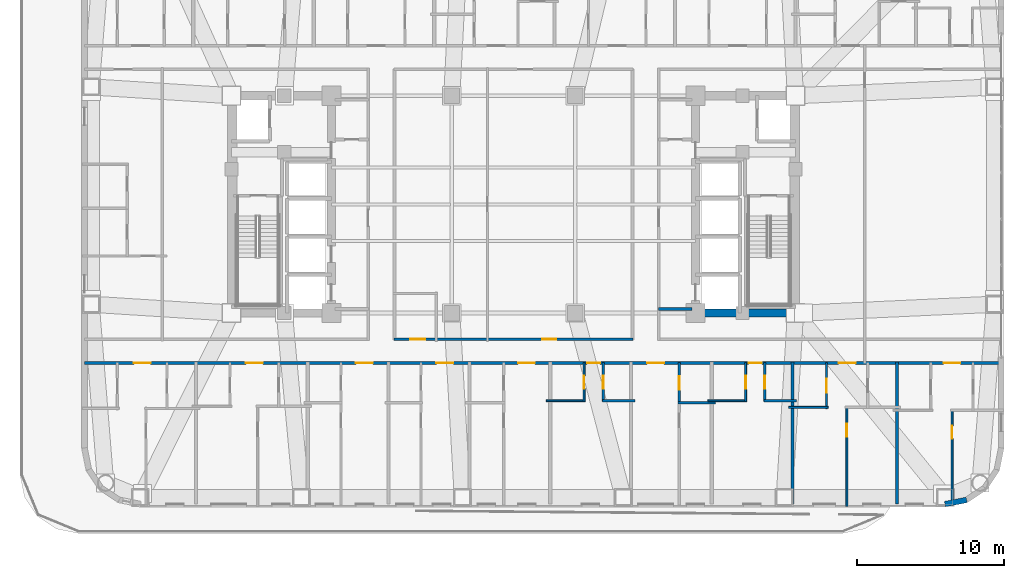
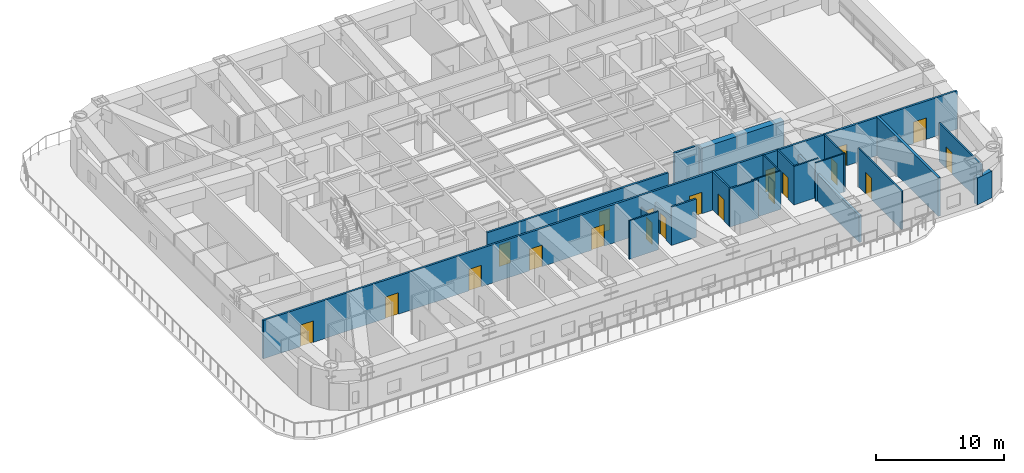
# One storey, part 9 of 18: 21 walls, 20 doors, 20 openings.
"""IFC4 building model written with IfcOpenShell, lengths in metres."""

from ifc_helpers import new_model, si_unit, direction, frame, frame_2d, origin, place, context, subcontext, project, spatial, rectangle, extrude, material, layer, layer_set, type_object, element, fill, save


model = new_model("IFC4")

# Units and contexts
model_context = context("Model", 3, precision=1e-05, world=origin(), true_north=direction((0.0, 1.0)))
body_context = subcontext(model_context, "Body", "Model", "MODEL_VIEW")
ifc_project = project(units=[si_unit("LENGTHUNIT", "METRE"), si_unit("AREAUNIT", "SQUARE_METRE"), si_unit("VOLUMEUNIT", "CUBIC_METRE"), si_unit("PLANEANGLEUNIT", "RADIAN"), si_unit("MASSUNIT", "GRAM", prefix="KILO")], contexts=[model_context])

# Site, building, storey
site_placement = place(None, origin())
site = spatial("IfcSite", under=ifc_project, at=site_placement, CompositionType="ELEMENT")
building_placement = place(site_placement, origin())
building = spatial("IfcBuilding", under=site, at=building_placement, Name="Voryun Gate Residences", CompositionType="ELEMENT")
storey_placement = place(building_placement, frame((0.0, 0.0, 85.800048828125)))
storey = spatial("IfcBuildingStorey", under=building, at=storey_placement, Name="L20", CompositionType="ELEMENT", Elevation=85.800048828125)

# Walls
ifc_material_1 = material(Name="Concrete C60/75", Category="concrete")
ifc_layer_1 = layer(ifc_material_1, 0.550048828125, Name="CW_CORE_550")
ifc_layer_set_1 = layer_set([ifc_layer_1], Name="Concrete C60/75")
wall_type_1 = type_object("IfcWallType", Name="CW_CORE_550", PredefinedType="SHEAR", material=ifc_layer_set_1)
wall_1_placement = place(storey_placement, frame((12.125, -7.39990234375, 0.0), z_axis=(0.0, 0.0, 1.0), x_axis=(1.0, 0.0, 0.0)))
element("IfcWall", 1, at=wall_1_placement, inside=storey, type_object=wall_type_1, Name="L20 Core shear wall CW-L20-ES", PredefinedType="SHEAR", context=body_context, shape_type="SweptSolid", body=[
    extrude(rectangle(XDim=7.35009765625, YDim=0.550048828125, at=frame_2d((3.675048828125, 0.0))), origin(), (0.0, 0.0, 1.0), 3.64990234375),
])
ifc_material_2 = material(Name="Gypsum acoustic fireboard")
ifc_layer_2 = layer(ifc_material_2, 0.179931640625, Name="W_CORR_RATED_180")
ifc_layer_set_2 = layer_set([ifc_layer_2], Name="Gypsum acoustic fireboard")
wall_type_2 = type_object("IfcWallType", Name="W_CORR_RATED_180", PredefinedType="PARTITIONING", material=ifc_layer_set_2)
wall_2_placement = place(storey_placement, frame((9.8798828125, -7.1201171875, 0.0), z_axis=(0.0, 0.0, 1.0), x_axis=(1.0, 0.0, 0.0)))
element("IfcWall", 2, at=wall_2_placement, inside=storey, type_object=wall_type_2, Name="Partition wall WP-L20-PLBS-E", PredefinedType="PARTITIONING", context=body_context, shape_type="SweptSolid", body=[
    extrude(rectangle(XDim=2.27001953125, YDim=0.179931640625, at=frame_2d((1.135009765625, 0.0))), origin(), (0.0, 0.0, 1.0), 3.64990234375),
])

# Wall, openings, doors
wall_3_placement = place(storey_placement, frame((-8.14990234375, -9.18994140625, 0.0), z_axis=(0.0, 0.0, 1.0), x_axis=(1.0, 0.0, 0.0)))
wall_3 = element("IfcWall", 3, at=wall_3_placement, inside=storey, type_object=wall_type_2, Name="Partition wall WP-L20-Z1S", PredefinedType="PARTITIONING", context=body_context, shape_type="SweptSolid", body=[
    extrude(rectangle(XDim=16.2998046875, YDim=0.179931640625, at=frame_2d((8.14990234375, 0.0))), origin(), (0.0, 0.0, 1.0), 3.64990234375),
])
opening_1_placement = place(wall_3_placement, frame((1.1298828125, 0.0, 0.0)))
opening_1 = element("IfcOpeningElement", 4, at=opening_1_placement, cuts=wall_3, Name="Opening D-AWC-1", PredefinedType="OPENING", context=body_context, shape_type="SweptSolid", body=[
    extrude(rectangle(XDim=1.0, YDim=2.050048828125, at=frame_2d((0.5, 1.02490234375))), frame((0.0, 0.099853515625, 0.0), z_axis=(0.0, -1.0, 0.0), x_axis=(1.0, 0.0, 0.0)), (0.0, 0.0, 1.0), 0.199951171875),
])
opening_2_placement = place(wall_3_placement, frame((10.1201171875, 0.0, 0.0)))
opening_2 = element("IfcOpeningElement", 5, at=opening_2_placement, cuts=wall_3, Name="Opening D-INT-1", PredefinedType="OPENING", context=body_context, shape_type="SweptSolid", body=[
    extrude(rectangle(XDim=0.949951171875, YDim=2.050048828125, at=frame_2d((0.47509765625, 1.02490234375))), frame((0.0, 0.099853515625, 0.0), z_axis=(0.0, -1.0, 0.0), x_axis=(1.0, 0.0, 0.0)), (0.0, 0.0, 1.0), 0.199951171875),
])
ifc_material_3 = material(Name="Architectural oak veneer")
door_type_1 = type_object("IfcDoorType", Name="DR_ACC_WC_1000", OperationType="NOTDEFINED", PredefinedType="DOOR", material=ifc_material_3)
door_1_placement = place(opening_1_placement, origin())
door_1 = element("IfcDoor", 6, at=door_1_placement, inside=storey, type_object=door_type_1, Name="Door DR-L20-CMWC-D", OperationType="SINGLE_SWING_LEFT", OverallHeight=2.050048828125, OverallWidth=1.0, PredefinedType="DOOR", context=body_context, shape_type="SweptSolid", body=[
    extrude(rectangle(XDim=1.0, YDim=2.050048828125, at=frame_2d((0.5, 1.02490234375))), frame((0.0, 0.02490234375, 0.0), z_axis=(0.0, -1.0, 0.0), x_axis=(1.0, 0.0, 0.0)), (0.0, 0.0, 1.0), 0.050048828125),
])
fill(opening_1, door_1)
ifc_material_4 = material(Name="Architectural oak veneer")
door_type_2 = type_object("IfcDoorType", Name="DR_INT_ROOM_950", OperationType="NOTDEFINED", PredefinedType="DOOR", material=ifc_material_4)
door_2_placement = place(opening_2_placement, origin())
door_2 = element("IfcDoor", 7, at=door_2_placement, inside=storey, type_object=door_type_2, Name="Door DR-L20-CMIDZ1S", OperationType="SINGLE_SWING_RIGHT", OverallHeight=2.050048828125, OverallWidth=0.949951171875, PredefinedType="DOOR", context=body_context, shape_type="SweptSolid", body=[
    extrude(rectangle(XDim=0.949951171875, YDim=2.050048828125, at=frame_2d((0.47509765625, 1.02490234375))), frame((0.0, 0.02490234375, 0.0), z_axis=(0.0, -1.0, 0.0), x_axis=(1.0, 0.0, 0.0)), (0.0, 0.0, 1.0), 0.050048828125),
])
fill(opening_2, door_2)

wall_4_placement = place(storey_placement, frame((-29.2099609375, -10.800048828125, 0.0), z_axis=(0.0, 0.0, 1.0), x_axis=(1.0, 0.0, 0.0)))
wall_4 = element("IfcWall", 8, at=wall_4_placement, inside=storey, type_object=wall_type_2, Name="Partition wall WP-L20-SCORR", PredefinedType="PARTITIONING", context=body_context, shape_type="SweptSolid", body=[
    extrude(rectangle(XDim=62.419921875, YDim=0.179931640625, at=frame_2d((31.2099609375, 0.0))), origin(), (0.0, 0.0, 1.0), 3.64990234375),
])
opening_3_placement = place(wall_4_placement, frame((3.357421875, 0.0, 0.0)))
opening_3 = element("IfcOpeningElement", 9, at=opening_3_placement, cuts=wall_4, Name="Opening D-UNIT-1", PredefinedType="OPENING", context=body_context, shape_type="SweptSolid", body=[
    extrude(rectangle(XDim=1.14990234375, YDim=2.050048828125, at=frame_2d((0.574951171875, 1.02490234375))), frame((0.0, 0.099853515625, 0.0), z_axis=(0.0, -1.0, 0.0), x_axis=(1.0, 0.0, 0.0)), (0.0, 0.0, 1.0), 0.199951171875),
])
opening_4_placement = place(wall_4_placement, frame((10.997802734375, 0.0, 0.0)))
opening_4 = element("IfcOpeningElement", 10, at=opening_4_placement, cuts=wall_4, Name="Opening D-UNIT-1", PredefinedType="OPENING", context=body_context, shape_type="SweptSolid", body=[
    extrude(rectangle(XDim=1.14990234375, YDim=2.050048828125, at=frame_2d((0.574951171875, 1.02490234375))), frame((0.0, 0.099853515625, 0.0), z_axis=(0.0, -1.0, 0.0), x_axis=(1.0, 0.0, 0.0)), (0.0, 0.0, 1.0), 0.199951171875),
])
opening_5_placement = place(wall_4_placement, frame((18.481689453125, 0.0, 0.0)))
opening_5 = element("IfcOpeningElement", 11, at=opening_5_placement, cuts=wall_4, Name="Opening D-UNIT-1", PredefinedType="OPENING", context=body_context, shape_type="SweptSolid", body=[
    extrude(rectangle(XDim=1.14990234375, YDim=2.050048828125, at=frame_2d((0.574951171875, 1.02490234375))), frame((0.0, 0.099853515625, 0.0), z_axis=(0.0, -1.0, 0.0), x_axis=(1.0, 0.0, 0.0)), (0.0, 0.0, 1.0), 0.199951171875),
])
opening_6_placement = place(wall_4_placement, frame((23.96240234375, 0.0, 0.0)))
opening_6 = element("IfcOpeningElement", 12, at=opening_6_placement, cuts=wall_4, Name="Opening D-UNIT-1", PredefinedType="OPENING", context=body_context, shape_type="SweptSolid", body=[
    extrude(rectangle(XDim=1.14990234375, YDim=2.050048828125, at=frame_2d((0.574951171875, 1.02490234375))), frame((0.0, 0.099853515625, 0.0), z_axis=(0.0, -1.0, 0.0), x_axis=(1.0, 0.0, 0.0)), (0.0, 0.0, 1.0), 0.199951171875),
])
opening_7_placement = place(wall_4_placement, frame((29.52392578125, 0.0, 0.0)))
opening_7 = element("IfcOpeningElement", 13, at=opening_7_placement, cuts=wall_4, Name="Opening D-UNIT-1", PredefinedType="OPENING", context=body_context, shape_type="SweptSolid", body=[
    extrude(rectangle(XDim=1.14990234375, YDim=2.050048828125, at=frame_2d((0.574951171875, 1.02490234375))), frame((0.0, 0.099853515625, 0.0), z_axis=(0.0, -1.0, 0.0), x_axis=(1.0, 0.0, 0.0)), (0.0, 0.0, 1.0), 0.199951171875),
])
opening_8_placement = place(wall_4_placement, frame((34.218017578125, 0.0, 0.0)))
opening_8 = element("IfcOpeningElement", 14, at=opening_8_placement, cuts=wall_4, Name="Opening D-INT-2", PredefinedType="OPENING", context=body_context, shape_type="SweptSolid", body=[
    extrude(rectangle(XDim=0.89990234375, YDim=2.050048828125, at=frame_2d((0.449951171875, 1.02490234375))), frame((0.0, 0.099853515625, 0.0), z_axis=(0.0, -1.0, 0.0), x_axis=(1.0, 0.0, 0.0)), (0.0, 0.0, 1.0), 0.199951171875),
])
opening_9_placement = place(wall_4_placement, frame((38.312744140625, 0.0, 0.0)))
opening_9 = element("IfcOpeningElement", 15, at=opening_9_placement, cuts=wall_4, Name="Opening D-UNIT-1", PredefinedType="OPENING", context=body_context, shape_type="SweptSolid", body=[
    extrude(rectangle(XDim=1.14990234375, YDim=2.050048828125, at=frame_2d((0.574951171875, 1.02490234375))), frame((0.0, 0.099853515625, 0.0), z_axis=(0.0, -1.0, 0.0), x_axis=(1.0, 0.0, 0.0)), (0.0, 0.0, 1.0), 0.199951171875),
])
opening_10_placement = place(wall_4_placement, frame((45.22265625, 0.0, 0.0)))
opening_10 = element("IfcOpeningElement", 16, at=opening_10_placement, cuts=wall_4, Name="Opening D-INT-2", PredefinedType="OPENING", context=body_context, shape_type="SweptSolid", body=[
    extrude(rectangle(XDim=0.89990234375, YDim=2.050048828125, at=frame_2d((0.449951171875, 1.02490234375))), frame((0.0, 0.099853515625, 0.0), z_axis=(0.0, -1.0, 0.0), x_axis=(1.0, 0.0, 0.0)), (0.0, 0.0, 1.0), 0.199951171875),
])
opening_11_placement = place(wall_4_placement, frame((51.352294921875, 0.0, 0.0)))
opening_11 = element("IfcOpeningElement", 17, at=opening_11_placement, cuts=wall_4, Name="Opening D-UNIT-1", PredefinedType="OPENING", context=body_context, shape_type="SweptSolid", body=[
    extrude(rectangle(XDim=1.14990234375, YDim=2.050048828125, at=frame_2d((0.574951171875, 1.02490234375))), frame((0.0, 0.099853515625, 0.0), z_axis=(0.0, -1.0, 0.0), x_axis=(1.0, 0.0, 0.0)), (0.0, 0.0, 1.0), 0.199951171875),
])
opening_12_placement = place(wall_4_placement, frame((58.492919921875, 0.0, 0.0)))
opening_12 = element("IfcOpeningElement", 18, at=opening_12_placement, cuts=wall_4, Name="Opening D-UNIT-1", PredefinedType="OPENING", context=body_context, shape_type="SweptSolid", body=[
    extrude(rectangle(XDim=1.14990234375, YDim=2.050048828125, at=frame_2d((0.574951171875, 1.02490234375))), frame((0.0, 0.099853515625, 0.0), z_axis=(0.0, -1.0, 0.0), x_axis=(1.0, 0.0, 0.0)), (0.0, 0.0, 1.0), 0.199951171875),
])
ifc_material_5 = material(Name="Architectural oak veneer")
door_type_3 = type_object("IfcDoorType", Name="DR_INT_BATH_900", OperationType="NOTDEFINED", PredefinedType="DOOR", material=ifc_material_5)
door_3_placement = place(opening_8_placement, origin())
door_3 = element("IfcDoor", 19, at=door_3_placement, inside=storey, type_object=door_type_3, Name="Door DR-L20-SENT-6", OperationType="SINGLE_SWING_LEFT", OverallHeight=2.050048828125, OverallWidth=0.89990234375, PredefinedType="DOOR", context=body_context, shape_type="SweptSolid", body=[
    extrude(rectangle(XDim=0.89990234375, YDim=2.050048828125, at=frame_2d((0.449951171875, 1.02490234375))), frame((0.0, 0.02490234375, 0.0), z_axis=(0.0, -1.0, 0.0), x_axis=(1.0, 0.0, 0.0)), (0.0, 0.0, 1.0), 0.050048828125),
])
fill(opening_8, door_3)
door_4_placement = place(opening_10_placement, origin())
door_4 = element("IfcDoor", 20, at=door_4_placement, inside=storey, type_object=door_type_3, Name="Door DR-L20-SENT-8", OperationType="SINGLE_SWING_LEFT", OverallHeight=2.050048828125, OverallWidth=0.89990234375, PredefinedType="DOOR", context=body_context, shape_type="SweptSolid", body=[
    extrude(rectangle(XDim=0.89990234375, YDim=2.050048828125, at=frame_2d((0.449951171875, 1.02490234375))), frame((0.0, 0.02490234375, 0.0), z_axis=(0.0, -1.0, 0.0), x_axis=(1.0, 0.0, 0.0)), (0.0, 0.0, 1.0), 0.050048828125),
])
fill(opening_10, door_4)
ifc_material_6 = material(Name="Armoured timber-clad fire door", Category="wood")
door_type_4 = type_object("IfcDoorType", Name="DR_UNIT_ENTRY_1150", OperationType="NOTDEFINED", PredefinedType="DOOR", material=ifc_material_6)
door_5_placement = place(opening_3_placement, origin())
door_5 = element("IfcDoor", 21, at=door_5_placement, inside=storey, type_object=door_type_4, Name="Door DR-L20-SENT-1", OperationType="SINGLE_SWING_RIGHT", OverallHeight=2.050048828125, OverallWidth=1.14990234375, PredefinedType="DOOR", context=body_context, shape_type="SweptSolid", body=[
    extrude(rectangle(XDim=1.14990234375, YDim=2.050048828125, at=frame_2d((0.574951171875, 1.02490234375))), frame((0.0, 0.02490234375, 0.0), z_axis=(0.0, -1.0, 0.0), x_axis=(1.0, 0.0, 0.0)), (0.0, 0.0, 1.0), 0.050048828125),
])
fill(opening_3, door_5)
door_6_placement = place(opening_4_placement, origin())
door_6 = element("IfcDoor", 22, at=door_6_placement, inside=storey, type_object=door_type_4, Name="Door DR-L20-SENT-2", OperationType="SINGLE_SWING_LEFT", OverallHeight=2.050048828125, OverallWidth=1.14990234375, PredefinedType="DOOR", context=body_context, shape_type="SweptSolid", body=[
    extrude(rectangle(XDim=1.14990234375, YDim=2.050048828125, at=frame_2d((0.574951171875, 1.02490234375))), frame((0.0, 0.02490234375, 0.0), z_axis=(0.0, -1.0, 0.0), x_axis=(1.0, 0.0, 0.0)), (0.0, 0.0, 1.0), 0.050048828125),
])
fill(opening_4, door_6)
door_7_placement = place(opening_5_placement, origin())
door_7 = element("IfcDoor", 23, at=door_7_placement, inside=storey, type_object=door_type_4, Name="Door DR-L20-SENT-3", OperationType="SINGLE_SWING_RIGHT", OverallHeight=2.050048828125, OverallWidth=1.14990234375, PredefinedType="DOOR", context=body_context, shape_type="SweptSolid", body=[
    extrude(rectangle(XDim=1.14990234375, YDim=2.050048828125, at=frame_2d((0.574951171875, 1.02490234375))), frame((0.0, 0.02490234375, 0.0), z_axis=(0.0, -1.0, 0.0), x_axis=(1.0, 0.0, 0.0)), (0.0, 0.0, 1.0), 0.050048828125),
])
fill(opening_5, door_7)
door_8_placement = place(opening_6_placement, origin())
door_8 = element("IfcDoor", 24, at=door_8_placement, inside=storey, type_object=door_type_4, Name="Door DR-L20-SENT-4", OperationType="SINGLE_SWING_LEFT", OverallHeight=2.050048828125, OverallWidth=1.14990234375, PredefinedType="DOOR", context=body_context, shape_type="SweptSolid", body=[
    extrude(rectangle(XDim=1.14990234375, YDim=2.050048828125, at=frame_2d((0.574951171875, 1.02490234375))), frame((0.0, 0.02490234375, 0.0), z_axis=(0.0, -1.0, 0.0), x_axis=(1.0, 0.0, 0.0)), (0.0, 0.0, 1.0), 0.050048828125),
])
fill(opening_6, door_8)
door_9_placement = place(opening_7_placement, origin())
door_9 = element("IfcDoor", 25, at=door_9_placement, inside=storey, type_object=door_type_4, Name="Door DR-L20-SENT-5", OperationType="SINGLE_SWING_RIGHT", OverallHeight=2.050048828125, OverallWidth=1.14990234375, PredefinedType="DOOR", context=body_context, shape_type="SweptSolid", body=[
    extrude(rectangle(XDim=1.14990234375, YDim=2.050048828125, at=frame_2d((0.574951171875, 1.02490234375))), frame((0.0, 0.02490234375, 0.0), z_axis=(0.0, -1.0, 0.0), x_axis=(1.0, 0.0, 0.0)), (0.0, 0.0, 1.0), 0.050048828125),
])
fill(opening_7, door_9)
door_10_placement = place(opening_9_placement, origin())
door_10 = element("IfcDoor", 26, at=door_10_placement, inside=storey, type_object=door_type_4, Name="Door DR-L20-SENT-7", OperationType="SINGLE_SWING_RIGHT", OverallHeight=2.050048828125, OverallWidth=1.14990234375, PredefinedType="DOOR", context=body_context, shape_type="SweptSolid", body=[
    extrude(rectangle(XDim=1.14990234375, YDim=2.050048828125, at=frame_2d((0.574951171875, 1.02490234375))), frame((0.0, 0.02490234375, 0.0), z_axis=(0.0, -1.0, 0.0), x_axis=(1.0, 0.0, 0.0)), (0.0, 0.0, 1.0), 0.050048828125),
])
fill(opening_9, door_10)
door_11_placement = place(opening_11_placement, origin())
door_11 = element("IfcDoor", 27, at=door_11_placement, inside=storey, type_object=door_type_4, Name="Door DR-L20-SENT-9", OperationType="SINGLE_SWING_RIGHT", OverallHeight=2.050048828125, OverallWidth=1.14990234375, PredefinedType="DOOR", context=body_context, shape_type="SweptSolid", body=[
    extrude(rectangle(XDim=1.14990234375, YDim=2.050048828125, at=frame_2d((0.574951171875, 1.02490234375))), frame((0.0, 0.02490234375, 0.0), z_axis=(0.0, -1.0, 0.0), x_axis=(1.0, 0.0, 0.0)), (0.0, 0.0, 1.0), 0.050048828125),
])
fill(opening_11, door_11)
door_12_placement = place(opening_12_placement, origin())
door_12 = element("IfcDoor", 28, at=door_12_placement, inside=storey, type_object=door_type_4, Name="Door DR-L20-SENT-10", OperationType="SINGLE_SWING_LEFT", OverallHeight=2.050048828125, OverallWidth=1.14990234375, PredefinedType="DOOR", context=body_context, shape_type="SweptSolid", body=[
    extrude(rectangle(XDim=1.14990234375, YDim=2.050048828125, at=frame_2d((0.574951171875, 1.02490234375))), frame((0.0, 0.02490234375, 0.0), z_axis=(0.0, -1.0, 0.0), x_axis=(1.0, 0.0, 0.0)), (0.0, 0.0, 1.0), 0.050048828125),
])
fill(opening_12, door_12)

# Walls
ifc_material_7 = material(Name="Granite masonry", Category="masonry")
ifc_layer_3 = layer(ifc_material_7, 0.3798828125, Name="W_EXT_GRANITE_380")
ifc_layer_set_3 = layer_set([ifc_layer_3], Name="Granite masonry")
wall_type_3 = type_object("IfcWallType", Name="W_EXT_GRANITE_380", PredefinedType="ELEMENTEDWALL", material=ifc_layer_set_3)
wall_5_placement = place(storey_placement, frame((30.856689453125, -20.116455078125, 0.0), z_axis=(0.0, 0.0, 1.0), x_axis=(-0.980786132421, -0.195086038585, 0.0)))
element("IfcWall", 29, at=wall_5_placement, inside=storey, type_object=wall_type_3, Name="Exterior wall WEXT-L20-20", PredefinedType="ELEMENTEDWALL", context=body_context, shape_type="SweptSolid", body=[
    extrude(rectangle(XDim=1.504150390625, YDim=0.3798828125, at=frame_2d((0.751953125, 0.0))), origin(), (0.0, 0.0, 1.0), 2.5400390625),
])
ifc_material_8 = material(Name="Concrete C40/50", Category="concrete")
ifc_layer_4 = layer(ifc_material_8, 0.219970703125, Name="W_PARTY_ACOUSTIC_220")
ifc_layer_set_4 = layer_set([ifc_layer_4], Name="Concrete C40/50")
wall_type_4 = type_object("IfcWallType", Name="W_PARTY_ACOUSTIC_220", PredefinedType="PARTITIONING", material=ifc_layer_set_4)
wall_6_placement = place(storey_placement, frame((19.0, -20.409912109375, 0.0), z_axis=(0.0, 0.0, 1.0), x_axis=(0.0, 1.0, 0.0)))
element("IfcWall", 30, at=wall_6_placement, inside=storey, type_object=wall_type_4, Name="Partition wall WP-L20-SPTY-8", PredefinedType="PARTITIONING", context=body_context, shape_type="SweptSolid", body=[
    extrude(rectangle(XDim=9.68994140625, YDim=0.219970703125, at=frame_2d((4.844970703125, 0.0))), origin(), (0.0, 0.0, 1.0), 2.5400390625),
])
wall_7_placement = place(storey_placement, frame((26.10888671875, -20.409912109375, 0.0), z_axis=(0.0, 0.0, 1.0), x_axis=(0.0, 1.0, 0.0)))
element("IfcWall", 31, at=wall_7_placement, inside=storey, type_object=wall_type_4, Name="Partition wall WP-L20-SPTY-9", PredefinedType="PARTITIONING", context=body_context, shape_type="SweptSolid", body=[
    extrude(rectangle(XDim=9.68994140625, YDim=0.219970703125, at=frame_2d((4.844970703125, 0.0))), origin(), (0.0, 0.0, 1.0), 3.64990234375),
])

# Wall, opening, door
ifc_material_9 = material(Name="Gypsum acoustic partition")
ifc_layer_5 = layer(ifc_material_9, 0.125, Name="W_UNIT_PART_125")
ifc_layer_set_5 = layer_set([ifc_layer_5], Name="Gypsum acoustic partition")
wall_type_5 = type_object("IfcWallType", Name="W_UNIT_PART_125", PredefinedType="PARTITIONING", material=ifc_layer_set_5)
wall_8_placement = place(storey_placement, frame((4.81005859375, -13.429931640625, 0.0), z_axis=(0.0, 0.0, 1.0), x_axis=(0.0, 1.0, 0.0)))
wall_8 = element("IfcWall", 32, at=wall_8_placement, inside=storey, type_object=wall_type_5, Name="Partition wall WP-L20-S6-CVK", PredefinedType="PARTITIONING", context=body_context, shape_type="SweptSolid", body=[
    extrude(rectangle(XDim=2.64990234375, YDim=0.125, at=frame_2d((1.324951171875, 0.0))), origin(), (0.0, 0.0, 1.0), 2.5400390625),
])
opening_13_placement = place(wall_8_placement, frame((0.875, 0.0, 0.0)))
opening_13 = element("IfcOpeningElement", 33, at=opening_13_placement, cuts=wall_8, Name="Opening D-INT-2", PredefinedType="OPENING", context=body_context, shape_type="SweptSolid", body=[
    extrude(rectangle(XDim=0.89990234375, YDim=2.050048828125, at=frame_2d((0.449951171875, 1.02490234375))), frame((0.0, 0.072509765625, 0.0), z_axis=(0.0, -1.0, 0.0), x_axis=(1.0, 0.0, 0.0)), (0.0, 0.0, 1.0), 0.14501953125),
])
door_13_placement = place(opening_13_placement, origin())
door_13 = element("IfcDoor", 34, at=door_13_placement, inside=storey, type_object=door_type_3, Name="Door DR-L20-S6-DK", OperationType="SINGLE_SWING_LEFT", OverallHeight=2.050048828125, OverallWidth=0.89990234375, PredefinedType="DOOR", context=body_context, shape_type="SweptSolid", body=[
    extrude(rectangle(XDim=0.89990234375, YDim=2.050048828125, at=frame_2d((0.449951171875, 1.02490234375))), frame((0.0, 0.02490234375, 0.0), z_axis=(0.0, -1.0, 0.0), x_axis=(1.0, 0.0, 0.0)), (0.0, 0.0, 1.0), 0.050048828125),
])
fill(opening_13, door_13)

# Wall
wall_9_placement = place(storey_placement, frame((2.239990234375, -13.3701171875, 0.0), z_axis=(0.0, 0.0, 1.0), x_axis=(1.0, 0.0, 0.0)))
element("IfcWall", 35, at=wall_9_placement, inside=storey, type_object=wall_type_5, Name="Partition wall WP-L20-S6-CHK", PredefinedType="PARTITIONING", context=body_context, shape_type="SweptSolid", body=[
    extrude(rectangle(XDim=2.630126953125, YDim=0.125, at=frame_2d((1.31494140625, 0.0))), origin(), (0.0, 0.0, 1.0), 3.64990234375),
])

# Wall, opening, door
wall_10_placement = place(storey_placement, frame((15.81005859375, -13.429931640625, 0.0), z_axis=(0.0, 0.0, 1.0), x_axis=(0.0, 1.0, 0.0)))
wall_10 = element("IfcWall", 36, at=wall_10_placement, inside=storey, type_object=wall_type_5, Name="Partition wall WP-L20-S8-CVK", PredefinedType="PARTITIONING", context=body_context, shape_type="SweptSolid", body=[
    extrude(rectangle(XDim=2.64990234375, YDim=0.125, at=frame_2d((1.324951171875, 0.0))), origin(), (0.0, 0.0, 1.0), 3.64990234375),
])
opening_14_placement = place(wall_10_placement, frame((0.875, 0.0, 0.0)))
opening_14 = element("IfcOpeningElement", 37, at=opening_14_placement, cuts=wall_10, Name="Opening D-INT-2", PredefinedType="OPENING", context=body_context, shape_type="SweptSolid", body=[
    extrude(rectangle(XDim=0.89990234375, YDim=2.050048828125, at=frame_2d((0.449951171875, 1.02490234375))), frame((0.0, 0.072509765625, 0.0), z_axis=(0.0, -1.0, 0.0), x_axis=(1.0, 0.0, 0.0)), (0.0, 0.0, 1.0), 0.14501953125),
])
door_14_placement = place(opening_14_placement, origin())
door_14 = element("IfcDoor", 38, at=door_14_placement, inside=storey, type_object=door_type_3, Name="Door DR-L20-S8-DK", OperationType="SINGLE_SWING_LEFT", OverallHeight=2.050048828125, OverallWidth=0.89990234375, PredefinedType="DOOR", context=body_context, shape_type="SweptSolid", body=[
    extrude(rectangle(XDim=0.89990234375, YDim=2.050048828125, at=frame_2d((0.449951171875, 1.02490234375))), frame((0.0, 0.02490234375, 0.0), z_axis=(0.0, -1.0, 0.0), x_axis=(1.0, 0.0, 0.0)), (0.0, 0.0, 1.0), 0.050048828125),
])
fill(opening_14, door_14)

# Wall
wall_11_placement = place(storey_placement, frame((13.239990234375, -13.3701171875, 0.0), z_axis=(0.0, 0.0, 1.0), x_axis=(1.0, 0.0, 0.0)))
element("IfcWall", 39, at=wall_11_placement, inside=storey, type_object=wall_type_5, Name="Partition wall WP-L20-S8-CHK", PredefinedType="PARTITIONING", context=body_context, shape_type="SweptSolid", body=[
    extrude(rectangle(XDim=2.630126953125, YDim=0.125, at=frame_2d((1.31494140625, 0.0))), origin(), (0.0, 0.0, 1.0), 3.64990234375),
])

# Wall, opening, door
wall_12_placement = place(storey_placement, frame((22.698974609375, -20.56005859375, 0.0), z_axis=(0.0, 0.0, 1.0), x_axis=(0.0, 1.0, 0.0)))
wall_12 = element("IfcWall", 40, at=wall_12_placement, inside=storey, type_object=wall_type_5, Name="Partition wall WP-L20-S9-OVR", PredefinedType="PARTITIONING", context=body_context, shape_type="SweptSolid", body=[
    extrude(rectangle(XDim=6.821044921875, YDim=0.125, at=frame_2d((3.41064453125, 0.0))), origin(), (0.0, 0.0, 1.0), 3.64990234375),
])
opening_15_placement = place(wall_12_placement, frame((4.73388671875, 0.0, 0.0)))
opening_15 = element("IfcOpeningElement", 41, at=opening_15_placement, cuts=wall_12, Name="Opening D-INT-2", PredefinedType="OPENING", context=body_context, shape_type="SweptSolid", body=[
    extrude(rectangle(XDim=0.89990234375, YDim=2.050048828125, at=frame_2d((0.449951171875, 1.02490234375))), frame((0.0, 0.072509765625, 0.0), z_axis=(0.0, -1.0, 0.0), x_axis=(1.0, 0.0, 0.0)), (0.0, 0.0, 1.0), 0.14501953125),
])
door_15_placement = place(opening_15_placement, origin())
door_15 = element("IfcDoor", 42, at=door_15_placement, inside=storey, type_object=door_type_3, Name="Door DR-L20-S9-DMB", OperationType="SINGLE_SWING_RIGHT", OverallHeight=2.050048828125, OverallWidth=0.89990234375, PredefinedType="DOOR", context=body_context, shape_type="SweptSolid", body=[
    extrude(rectangle(XDim=0.89990234375, YDim=2.050048828125, at=frame_2d((0.449951171875, 1.02490234375))), frame((0.0, 0.02490234375, 0.0), z_axis=(0.0, -1.0, 0.0), x_axis=(1.0, 0.0, 0.0)), (0.0, 0.0, 1.0), 0.050048828125),
])
fill(opening_15, door_15)

wall_13_placement = place(storey_placement, frame((21.31005859375, -13.89892578125, 0.0), z_axis=(0.0, 0.0, 1.0), x_axis=(0.0, 1.0, 0.0)))
wall_13 = element("IfcWall", 43, at=wall_13_placement, inside=storey, type_object=wall_type_5, Name="Partition wall WP-L20-S9-IVK", PredefinedType="PARTITIONING", context=body_context, shape_type="SweptSolid", body=[
    extrude(rectangle(XDim=3.118896484375, YDim=0.125, at=frame_2d((1.5595703125, 0.0))), origin(), (0.0, 0.0, 1.0), 3.64990234375),
])
opening_16_placement = place(wall_13_placement, frame((1.08447265625, 0.0, 0.0)))
opening_16 = element("IfcOpeningElement", 44, at=opening_16_placement, cuts=wall_13, Name="Opening D-INT-1", PredefinedType="OPENING", context=body_context, shape_type="SweptSolid", body=[
    extrude(rectangle(XDim=0.949951171875, YDim=2.050048828125, at=frame_2d((0.47509765625, 1.02490234375))), frame((0.0, 0.072509765625, 0.0), z_axis=(0.0, -1.0, 0.0), x_axis=(1.0, 0.0, 0.0)), (0.0, 0.0, 1.0), 0.14501953125),
])
door_16_placement = place(opening_16_placement, origin())
door_16 = element("IfcDoor", 45, at=door_16_placement, inside=storey, type_object=door_type_2, Name="Door DR-L20-S9-DK", OperationType="SINGLE_SWING_LEFT", OverallHeight=2.050048828125, OverallWidth=0.949951171875, PredefinedType="DOOR", context=body_context, shape_type="SweptSolid", body=[
    extrude(rectangle(XDim=0.949951171875, YDim=2.050048828125, at=frame_2d((0.47509765625, 1.02490234375))), frame((0.0, 0.02490234375, 0.0), z_axis=(0.0, -1.0, 0.0), x_axis=(1.0, 0.0, 0.0)), (0.0, 0.0, 1.0), 0.050048828125),
])
fill(opening_16, door_16)

# Wall
wall_14_placement = place(storey_placement, frame((18.739990234375, -13.819091796875, 0.0), z_axis=(0.0, 0.0, 1.0), x_axis=(1.0, 0.0, 0.0)))
element("IfcWall", 46, at=wall_14_placement, inside=storey, type_object=wall_type_5, Name="Partition wall WP-L20-S9-HZK", PredefinedType="PARTITIONING", context=body_context, shape_type="SweptSolid", body=[
    extrude(rectangle(XDim=2.68994140625, YDim=0.125, at=frame_2d((1.344970703125, 0.0))), origin(), (0.0, 0.0, 1.0), 3.64990234375),
])

# Wall, opening, door
wall_15_placement = place(storey_placement, frame((29.867919921875, -20.466064453125, 0.0), z_axis=(0.0, 0.0, 1.0), x_axis=(0.0, 1.0, 0.0)))
wall_15 = element("IfcWall", 47, at=wall_15_placement, inside=storey, type_object=wall_type_5, Name="Partition wall WP-L20-S10-OVR", PredefinedType="PARTITIONING", context=body_context, shape_type="SweptSolid", body=[
    extrude(rectangle(XDim=6.526123046875, YDim=0.125, at=frame_2d((3.26318359375, 0.0))), origin(), (0.0, 0.0, 1.0), 3.64990234375),
])
opening_17_placement = place(wall_15_placement, frame((4.509765625, 0.0, 0.0)))
opening_17 = element("IfcOpeningElement", 48, at=opening_17_placement, cuts=wall_15, Name="Opening D-INT-2", PredefinedType="OPENING", context=body_context, shape_type="SweptSolid", body=[
    extrude(rectangle(XDim=0.89990234375, YDim=2.050048828125, at=frame_2d((0.449951171875, 1.02490234375))), frame((0.0, 0.072509765625, 0.0), z_axis=(0.0, -1.0, 0.0), x_axis=(1.0, 0.0, 0.0)), (0.0, 0.0, 1.0), 0.14501953125),
])
door_17_placement = place(opening_17_placement, origin())
door_17 = element("IfcDoor", 49, at=door_17_placement, inside=storey, type_object=door_type_3, Name="Door DR-L20-S10-DMB", OperationType="SINGLE_SWING_RIGHT", OverallHeight=2.050048828125, OverallWidth=0.89990234375, PredefinedType="DOOR", context=body_context, shape_type="SweptSolid", body=[
    extrude(rectangle(XDim=0.89990234375, YDim=2.050048828125, at=frame_2d((0.449951171875, 1.02490234375))), frame((0.0, 0.02490234375, 0.0), z_axis=(0.0, -1.0, 0.0), x_axis=(1.0, 0.0, 0.0)), (0.0, 0.0, 1.0), 0.050048828125),
])
fill(opening_17, door_17)

ifc_material_10 = material(Name="Gypsum moisture-resistant partition")
ifc_layer_6 = layer(ifc_material_10, 0.14990234375, Name="W_WET_PLUMB_150")
ifc_layer_set_6 = layer_set([ifc_layer_6], Name="Gypsum moisture-resistant partition")
wall_type_6 = type_object("IfcWallType", Name="W_WET_PLUMB_150", PredefinedType="PLUMBINGWALL", material=ifc_layer_set_6)
wall_16_placement = place(storey_placement, frame((6.111083984375, -13.429931640625, 0.0), z_axis=(0.0, 0.0, 1.0), x_axis=(0.0, 1.0, 0.0)))
wall_16 = element("IfcWall", 50, at=wall_16_placement, inside=storey, type_object=wall_type_6, Name="Partition wall WP-L20-S6-CVB", PredefinedType="PLUMBINGWALL", context=body_context, shape_type="SweptSolid", body=[
    extrude(rectangle(XDim=2.64990234375, YDim=0.14990234375, at=frame_2d((1.324951171875, 0.0))), origin(), (0.0, 0.0, 1.0), 2.5400390625),
])
opening_18_placement = place(wall_16_placement, frame((0.875, 0.0, 0.0)))
opening_18 = element("IfcOpeningElement", 51, at=opening_18_placement, cuts=wall_16, Name="Opening D-INT-2", PredefinedType="OPENING", context=body_context, shape_type="SweptSolid", body=[
    extrude(rectangle(XDim=0.89990234375, YDim=2.050048828125, at=frame_2d((0.449951171875, 1.02490234375))), frame((0.0, 0.0849609375, 0.0), z_axis=(0.0, -1.0, 0.0), x_axis=(1.0, 0.0, 0.0)), (0.0, 0.0, 1.0), 0.169921875),
])
door_18_placement = place(opening_18_placement, origin())
door_18 = element("IfcDoor", 52, at=door_18_placement, inside=storey, type_object=door_type_3, Name="Door DR-L20-S6-DB", OperationType="SINGLE_SWING_RIGHT", OverallHeight=2.050048828125, OverallWidth=0.89990234375, PredefinedType="DOOR", context=body_context, shape_type="SweptSolid", body=[
    extrude(rectangle(XDim=0.89990234375, YDim=2.050048828125, at=frame_2d((0.449951171875, 1.02490234375))), frame((0.0, 0.02490234375, 0.0), z_axis=(0.0, -1.0, 0.0), x_axis=(1.0, 0.0, 0.0)), (0.0, 0.0, 1.0), 0.050048828125),
])
fill(opening_18, door_18)

# Walls
wall_17_placement = place(storey_placement, frame((6.051025390625, -13.3701171875, 0.0), z_axis=(0.0, 0.0, 1.0), x_axis=(1.0, 0.0, 0.0)))
element("IfcWall", 53, at=wall_17_placement, inside=storey, type_object=wall_type_6, Name="Partition wall WP-L20-S6-CHB", PredefinedType="PLUMBINGWALL", context=body_context, shape_type="SweptSolid", body=[
    extrude(rectangle(XDim=2.208984375, YDim=0.14990234375, at=frame_2d((1.1044921875, 0.0))), origin(), (0.0, 0.0, 1.0), 3.64990234375),
])
wall_18_placement = place(storey_placement, frame((11.2099609375, -13.5, 0.0), z_axis=(0.0, 0.0, 1.0), x_axis=(1.0, 0.0, 0.0)))
element("IfcWall", 54, at=wall_18_placement, inside=storey, type_object=wall_type_6, Name="Partition wall WP-L20-S7-SKB", PredefinedType="PLUMBINGWALL", context=body_context, shape_type="SweptSolid", body=[
    extrude(rectangle(XDim=2.550048828125, YDim=0.14990234375, at=frame_2d((1.27490234375, 0.0))), origin(), (0.0, 0.0, 1.0), 3.64990234375),
])

# Wall, opening, door
wall_19_placement = place(storey_placement, frame((11.2900390625, -13.5400390625, 0.0), z_axis=(0.0, 0.0, 1.0), x_axis=(0.0, 1.0, 0.0)))
wall_19 = element("IfcWall", 55, at=wall_19_placement, inside=storey, type_object=wall_type_6, Name="Partition wall WP-L20-S7-SVT2", PredefinedType="PLUMBINGWALL", context=body_context, shape_type="SweptSolid", body=[
    extrude(rectangle(XDim=2.760009765625, YDim=0.14990234375, at=frame_2d((1.3798828125, 0.0))), origin(), (0.0, 0.0, 1.0), 3.64990234375),
])
opening_19_placement = place(wall_19_placement, frame((0.929931640625, 0.0, 0.0)))
opening_19 = element("IfcOpeningElement", 56, at=opening_19_placement, cuts=wall_19, Name="Opening D-INT-2", PredefinedType="OPENING", context=body_context, shape_type="SweptSolid", body=[
    extrude(rectangle(XDim=0.89990234375, YDim=2.050048828125, at=frame_2d((0.449951171875, 1.02490234375))), frame((0.0, 0.0849609375, 0.0), z_axis=(0.0, -1.0, 0.0), x_axis=(1.0, 0.0, 0.0)), (0.0, 0.0, 1.0), 0.169921875),
])
door_19_placement = place(opening_19_placement, origin())
door_19 = element("IfcDoor", 57, at=door_19_placement, inside=storey, type_object=door_type_3, Name="Door DR-L20-S7-DB", OperationType="SINGLE_SWING_RIGHT", OverallHeight=2.050048828125, OverallWidth=0.89990234375, PredefinedType="DOOR", context=body_context, shape_type="SweptSolid", body=[
    extrude(rectangle(XDim=0.89990234375, YDim=2.050048828125, at=frame_2d((0.449951171875, 1.02490234375))), frame((0.0, 0.02490234375, 0.0), z_axis=(0.0, -1.0, 0.0), x_axis=(1.0, 0.0, 0.0)), (0.0, 0.0, 1.0), 0.050048828125),
])
fill(opening_19, door_19)

wall_20_placement = place(storey_placement, frame((17.111083984375, -13.429931640625, 0.0), z_axis=(0.0, 0.0, 1.0), x_axis=(0.0, 1.0, 0.0)))
wall_20 = element("IfcWall", 58, at=wall_20_placement, inside=storey, type_object=wall_type_6, Name="Partition wall WP-L20-S8-CVB", PredefinedType="PLUMBINGWALL", context=body_context, shape_type="SweptSolid", body=[
    extrude(rectangle(XDim=2.64990234375, YDim=0.14990234375, at=frame_2d((1.324951171875, 0.0))), origin(), (0.0, 0.0, 1.0), 3.64990234375),
])
opening_20_placement = place(wall_20_placement, frame((0.875, 0.0, 0.0)))
opening_20 = element("IfcOpeningElement", 59, at=opening_20_placement, cuts=wall_20, Name="Opening D-INT-2", PredefinedType="OPENING", context=body_context, shape_type="SweptSolid", body=[
    extrude(rectangle(XDim=0.89990234375, YDim=2.050048828125, at=frame_2d((0.449951171875, 1.02490234375))), frame((0.0, 0.0849609375, 0.0), z_axis=(0.0, -1.0, 0.0), x_axis=(1.0, 0.0, 0.0)), (0.0, 0.0, 1.0), 0.169921875),
])
door_20_placement = place(opening_20_placement, origin())
door_20 = element("IfcDoor", 60, at=door_20_placement, inside=storey, type_object=door_type_3, Name="Door DR-L20-S8-DB", OperationType="SINGLE_SWING_RIGHT", OverallHeight=2.050048828125, OverallWidth=0.89990234375, PredefinedType="DOOR", context=body_context, shape_type="SweptSolid", body=[
    extrude(rectangle(XDim=0.89990234375, YDim=2.050048828125, at=frame_2d((0.449951171875, 1.02490234375))), frame((0.0, 0.02490234375, 0.0), z_axis=(0.0, -1.0, 0.0), x_axis=(1.0, 0.0, 0.0)), (0.0, 0.0, 1.0), 0.050048828125),
])
fill(opening_20, door_20)

# Wall
wall_21_placement = place(storey_placement, frame((17.051025390625, -13.3701171875, 0.0), z_axis=(0.0, 0.0, 1.0), x_axis=(1.0, 0.0, 0.0)))
element("IfcWall", 61, at=wall_21_placement, inside=storey, type_object=wall_type_6, Name="Partition wall WP-L20-S8-CHB", PredefinedType="PLUMBINGWALL", context=body_context, shape_type="SweptSolid", body=[
    extrude(rectangle(XDim=2.208984375, YDim=0.14990234375, at=frame_2d((1.1044921875, 0.0))), origin(), (0.0, 0.0, 1.0), 3.64990234375),
])

save(model, "model.ifc")
